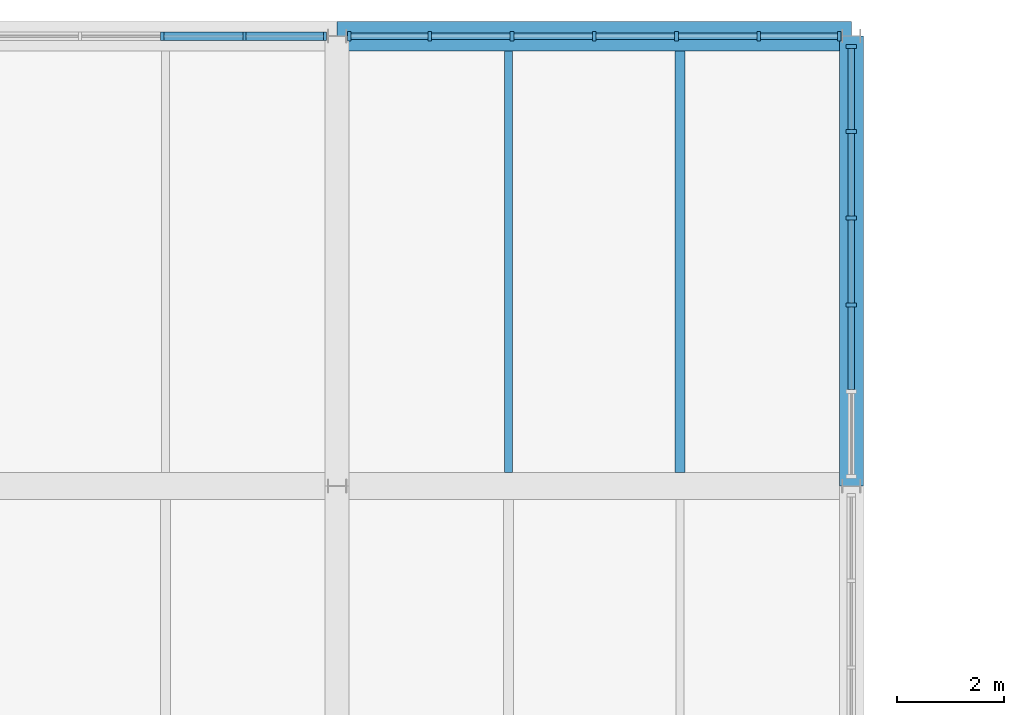
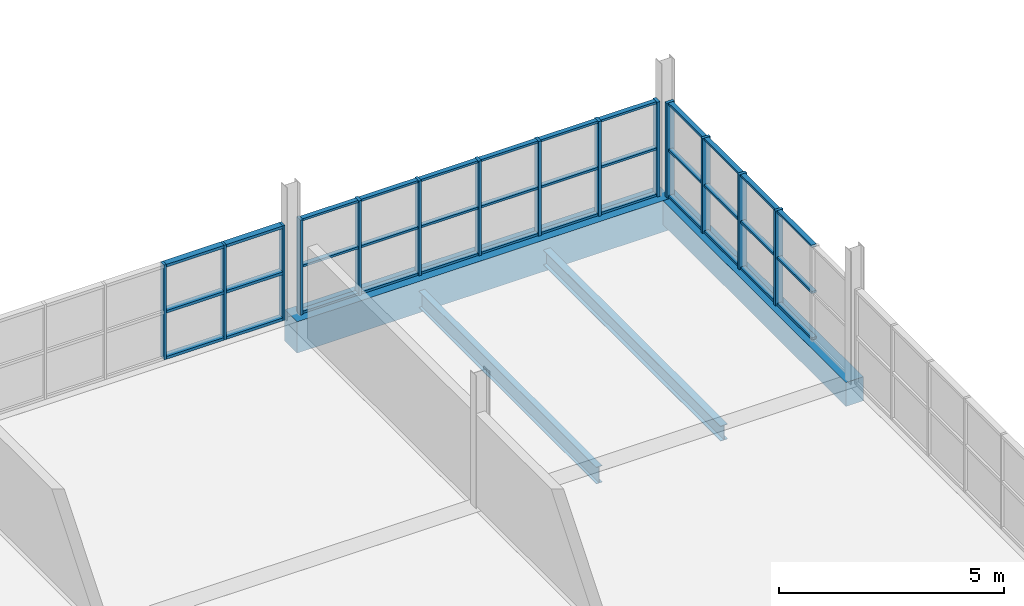
# One storey, part 87 of 147: 50 members, 4 beams, 3 elements without a shape of their own.
"""IFC4 building model written with IfcOpenShell, lengths in metres."""

from ifc_helpers import new_model, si_unit, direction, frame, origin, origin_2d, place, context, subcontext, project, spatial, rectangle, i_section, extrude, material, material_profile, profile_set, type_object, element, aggregate, save


model = new_model("IFC4")

# Units and contexts
model_context = context("Model", 3, precision=1e-05, world=origin(), true_north=direction((0.0, 1.0)))
body_context = subcontext(model_context, "Body", "Model", "MODEL_VIEW")
ifc_project = project(units=[si_unit("LENGTHUNIT", "METRE"), si_unit("AREAUNIT", "SQUARE_METRE"), si_unit("VOLUMEUNIT", "CUBIC_METRE"), si_unit("PLANEANGLEUNIT", "RADIAN"), si_unit("MASSUNIT", "GRAM", prefix="KILO")], contexts=[model_context])

# Site, building, storey
site_placement = place(None, origin())
site = spatial("IfcSite", under=ifc_project, at=site_placement, CompositionType="ELEMENT")
building_placement = place(site_placement, origin())
building = spatial("IfcBuilding", under=site, at=building_placement, Name="Oolite Switchyard Hospital", CompositionType="ELEMENT")
storey_placement = place(building_placement, frame((0.0, 0.0, 9.89990234375)))
storey = spatial("IfcBuildingStorey", under=building, at=storey_placement, Name="L02", CompositionType="ELEMENT", Elevation=9.89990234375)

# Beams
ifc_material_1 = material(Name="Concrete C40/50", Category="concrete")
ifc_material_profile_1 = material_profile(ifc_material_1, rectangle(XDim=0.449951171875, YDim=0.64990234375, at=origin_2d()), Name="RCB450X650")
ifc_profile_set_1 = profile_set([ifc_material_profile_1], Name="Concrete C40/50")
beam_type_1 = type_object("IfcBeamType", Name="BM-RC450X650", PredefinedType="BEAM", material=ifc_profile_set_1)
beam_1_placement = place(storey_placement, frame((76.800048828125, 126.0, -0.324951171875), z_axis=(0.0, 1.0, 0.0), x_axis=(-1.0, 0.0, 0.0)))
element("IfcBeam", 1, at=beam_1_placement, inside=storey, type_object=beam_type_1, Name="L02 Y-Girder 1372", PredefinedType="BEAM", context=body_context, shape_type="SweptSolid", body=[
    extrude(rectangle(XDim=0.449951171875, YDim=0.64990234375, at=origin_2d()), origin(), (0.0, 0.0, 1.0), 8.39990234375),
])
ifc_material_profile_2 = material_profile(ifc_material_1, rectangle(XDim=0.550048828125, YDim=0.85009765625, at=origin_2d()), Name="RCB550X850")
ifc_profile_set_2 = profile_set([ifc_material_profile_2], Name="Concrete C40/50")
beam_type_2 = type_object("IfcBeamType", Name="BM-RC550X850", PredefinedType="BEAM", material=ifc_profile_set_2)
beam_2_placement = place(storey_placement, frame((67.199951171875, 134.39990234375, -0.4248046875), z_axis=(1.0, 0.0, 0.0), x_axis=(0.0, 1.0, 0.0)))
element("IfcBeam", 2, at=beam_2_placement, inside=storey, type_object=beam_type_2, Name="L02 X-Girder 1241", PredefinedType="BEAM", context=body_context, shape_type="SweptSolid", body=[
    extrude(rectangle(XDim=0.550048828125, YDim=0.85009765625, at=origin_2d()), origin(), (0.0, 0.0, 1.0), 9.60009765625),
])
ifc_material_2 = material(Name="Steel ASTM A992 Grade 50", Category="steel")
ifc_material_profile_3 = material_profile(ifc_material_2, i_section(OverallWidth=0.179931640625, OverallDepth=0.4130859375, WebThickness=0.010009765625, FlangeThickness=0.01611328125, at=origin_2d()), Name="W16X50")
ifc_profile_set_3 = profile_set([ifc_material_profile_3], Name="Steel ASTM A992 Grade 50")
beam_type_3 = type_object("IfcBeamType", Name="BM-W16X50", PredefinedType="JOIST", material=ifc_profile_set_3)
beam_3_placement = place(storey_placement, frame((73.60009765625, 126.25, -0.4658203125), z_axis=(0.0, 1.0, 0.0), x_axis=(-1.0, 0.0, 0.0)))
element("IfcBeam", 3, at=beam_3_placement, inside=storey, type_object=beam_type_3, Name="L02 Secondary Steel Joist 1709", PredefinedType="JOIST", context=body_context, shape_type="SweptSolid", body=[
    extrude(i_section(OverallWidth=0.179931640625, OverallDepth=0.4130859375, WebThickness=0.010009765625, FlangeThickness=0.01611328125, at=origin_2d()), origin(), (0.0, 0.0, 1.0), 7.875),
])
ifc_material_profile_4 = material_profile(ifc_material_2, i_section(OverallWidth=0.153076171875, OverallDepth=0.455078125, WebThickness=0.008056640625, FlangeThickness=0.012939453125, at=origin_2d()), Name="W18X40")
ifc_profile_set_4 = profile_set([ifc_material_profile_4], Name="Steel ASTM A992 Grade 50")
beam_type_4 = type_object("IfcBeamType", Name="BM-W18X40", PredefinedType="JOIST", material=ifc_profile_set_4)
beam_4_placement = place(storey_placement, frame((70.39990234375, 126.25, -0.48681640625), z_axis=(0.0, 1.0, 0.0), x_axis=(-1.0, 0.0, 0.0)))
element("IfcBeam", 4, at=beam_4_placement, inside=storey, type_object=beam_type_4, Name="L02 Secondary Steel Joist 1708", PredefinedType="JOIST", context=body_context, shape_type="SweptSolid", body=[
    extrude(i_section(OverallWidth=0.153076171875, OverallDepth=0.455078125, WebThickness=0.008056640625, FlangeThickness=0.012939453125, at=origin_2d()), origin(), (0.0, 0.0, 1.0), 7.875),
])

# Curtain wall, members
ifc_material_3 = material(Name="Thermally broken aluminum frame with laminated impact glazing", Category="aluminium")
curtain_wall_type_1 = type_object("IfcCurtainWallType", Name="CW-UNIT-96X36", PredefinedType="USERDEFINED", material=ifc_material_3)
curtain_wall_1_placement = place(storey_placement, origin())
curtain_wall_1 = element("IfcCurtainWall", 5, at=curtain_wall_1_placement, inside=storey, type_object=curtain_wall_type_1, Name="L02 Unitised Curtain Wall 271", ObjectType="UNITISED", PredefinedType="USERDEFINED")
ifc_material_4 = material(Name="Aluminium 6063-T6", Category="aluminium")
ifc_material_profile_5 = material_profile(ifc_material_4, rectangle(XDim=0.159912109375, YDim=0.06005859375, at=origin_2d()), Name="CWM60X160")
ifc_profile_set_5 = profile_set([ifc_material_profile_5], Name="Aluminium 6063-T6")
member_type_1 = type_object("IfcMemberType", Name="CW-MUL-180", PredefinedType="MULLION", material=ifc_profile_set_5)
member_1_placement = place(storey_placement, frame((63.935546875, 134.39990234375, 0.0), z_axis=(0.0, 0.0, 1.0), x_axis=(0.0, 1.0, 0.0)))
member_1 = element("IfcMember", 6, at=member_1_placement, type_object=member_type_1, Name="CW-03 mullion 5", PredefinedType="MULLION", context=body_context, shape_type="SweptSolid", body=[
    extrude(rectangle(XDim=0.159912109375, YDim=0.06005859375, at=origin_2d()), origin(), (0.0, 0.0, 1.0), 2.570068359375),
])
member_2_placement = place(storey_placement, frame((65.471435546875, 134.39990234375, 0.0), z_axis=(0.0, 0.0, 1.0), x_axis=(0.0, 1.0, 0.0)))
member_2 = element("IfcMember", 7, at=member_2_placement, type_object=member_type_1, Name="CW-03 mullion 6", PredefinedType="MULLION", context=body_context, shape_type="SweptSolid", body=[
    extrude(rectangle(XDim=0.159912109375, YDim=0.06005859375, at=origin_2d()), origin(), (0.0, 0.0, 1.0), 2.570068359375),
])
member_3_placement = place(storey_placement, frame((66.97705078125, 134.39990234375, 0.0), z_axis=(0.0, 0.0, 1.0), x_axis=(0.0, 1.0, 0.0)))
member_3 = element("IfcMember", 8, at=member_3_placement, type_object=member_type_1, Name="CW-03 mullion 7", PredefinedType="MULLION", context=body_context, shape_type="SweptSolid", body=[
    extrude(rectangle(XDim=0.159912109375, YDim=0.06005859375, at=origin_2d()), origin(), (0.0, 0.0, 1.0), 2.570068359375),
])

curtain_wall_2_placement = place(storey_placement, origin())
curtain_wall_2 = element("IfcCurtainWall", 9, at=curtain_wall_2_placement, inside=storey, type_object=curtain_wall_type_1, Name="L02 Unitised Curtain Wall 272", ObjectType="UNITISED", PredefinedType="USERDEFINED")
ifc_material_profile_6 = material_profile(ifc_material_4, rectangle(XDim=0.179931640625, YDim=0.070068359375, at=origin_2d()), Name="CWM70X180")
ifc_profile_set_6 = profile_set([ifc_material_profile_6], Name="Aluminium 6063-T6")
member_type_2 = type_object("IfcMemberType", Name="CW-MUL-220", PredefinedType="MULLION", material=ifc_profile_set_6)
member_4_placement = place(storey_placement, frame((67.427978515625, 134.39990234375, 0.0), z_axis=(0.0, 0.0, 1.0), x_axis=(0.0, 1.0, 0.0)))
member_4 = element("IfcMember", 10, at=member_4_placement, type_object=member_type_2, Name="CW-03 mullion 1", PredefinedType="MULLION", context=body_context, shape_type="SweptSolid", body=[
    extrude(rectangle(XDim=0.179931640625, YDim=0.070068359375, at=origin_2d()), origin(), (0.0, 0.0, 1.0), 2.570068359375),
])
member_5_placement = place(storey_placement, frame((68.9287109375, 134.39990234375, 0.0), z_axis=(0.0, 0.0, 1.0), x_axis=(0.0, 1.0, 0.0)))
member_5 = element("IfcMember", 11, at=member_5_placement, type_object=member_type_2, Name="CW-03 mullion 2", PredefinedType="MULLION", context=body_context, shape_type="SweptSolid", body=[
    extrude(rectangle(XDim=0.179931640625, YDim=0.070068359375, at=origin_2d()), origin(), (0.0, 0.0, 1.0), 2.570068359375),
])
member_6_placement = place(storey_placement, frame((70.46435546875, 134.39990234375, 0.0), z_axis=(0.0, 0.0, 1.0), x_axis=(0.0, 1.0, 0.0)))
member_6 = element("IfcMember", 12, at=member_6_placement, type_object=member_type_2, Name="CW-03 mullion 3", PredefinedType="MULLION", context=body_context, shape_type="SweptSolid", body=[
    extrude(rectangle(XDim=0.179931640625, YDim=0.070068359375, at=origin_2d()), origin(), (0.0, 0.0, 1.0), 2.570068359375),
])
member_7_placement = place(storey_placement, frame((72.0, 134.39990234375, 0.0), z_axis=(0.0, 0.0, 1.0), x_axis=(0.0, 1.0, 0.0)))
member_7 = element("IfcMember", 13, at=member_7_placement, type_object=member_type_2, Name="CW-03 mullion 4", PredefinedType="MULLION", context=body_context, shape_type="SweptSolid", body=[
    extrude(rectangle(XDim=0.179931640625, YDim=0.070068359375, at=origin_2d()), origin(), (0.0, 0.0, 1.0), 2.570068359375),
])
member_8_placement = place(storey_placement, frame((73.53564453125, 134.39990234375, 0.0), z_axis=(0.0, 0.0, 1.0), x_axis=(0.0, 1.0, 0.0)))
member_8 = element("IfcMember", 14, at=member_8_placement, type_object=member_type_2, Name="CW-03 mullion 5", PredefinedType="MULLION", context=body_context, shape_type="SweptSolid", body=[
    extrude(rectangle(XDim=0.179931640625, YDim=0.070068359375, at=origin_2d()), origin(), (0.0, 0.0, 1.0), 2.570068359375),
])
member_9_placement = place(storey_placement, frame((75.0712890625, 134.39990234375, 0.0), z_axis=(0.0, 0.0, 1.0), x_axis=(0.0, 1.0, 0.0)))
member_9 = element("IfcMember", 15, at=member_9_placement, type_object=member_type_2, Name="CW-03 mullion 6", PredefinedType="MULLION", context=body_context, shape_type="SweptSolid", body=[
    extrude(rectangle(XDim=0.179931640625, YDim=0.070068359375, at=origin_2d()), origin(), (0.0, 0.0, 1.0), 2.570068359375),
])
member_10_placement = place(storey_placement, frame((76.572021484375, 134.39990234375, 0.0), z_axis=(0.0, 0.0, 1.0), x_axis=(0.0, 1.0, 0.0)))
member_10 = element("IfcMember", 16, at=member_10_placement, type_object=member_type_2, Name="CW-03 mullion 7", PredefinedType="MULLION", context=body_context, shape_type="SweptSolid", body=[
    extrude(rectangle(XDim=0.179931640625, YDim=0.070068359375, at=origin_2d()), origin(), (0.0, 0.0, 1.0), 2.570068359375),
])

curtain_wall_type_2 = type_object("IfcCurtainWallType", Name="CW-UNIT-84X36", PredefinedType="USERDEFINED", material=ifc_material_3)
curtain_wall_3_placement = place(storey_placement, origin())
curtain_wall_3 = element("IfcCurtainWall", 17, at=curtain_wall_3_placement, inside=storey, type_object=curtain_wall_type_2, Name="L02 Unitised Curtain Wall 288", ObjectType="UNITISED", PredefinedType="USERDEFINED")
ifc_material_profile_7 = material_profile(ifc_material_4, rectangle(XDim=0.199951171875, YDim=0.074951171875, at=origin_2d()), Name="CWM75X200")
ifc_profile_set_7 = profile_set([ifc_material_profile_7], Name="Aluminium 6063-T6")
member_type_3 = type_object("IfcMemberType", Name="CW-MUL-260", PredefinedType="MULLION", material=ifc_profile_set_7)
member_11_placement = place(storey_placement, frame((76.800048828125, 134.202392578125, 0.0), z_axis=(0.0, 0.0, 1.0), x_axis=(1.0, 0.0, 0.0)))
member_11 = element("IfcMember", 18, at=member_11_placement, type_object=member_type_3, Name="CW-08 mullion 1", PredefinedType="MULLION", context=body_context, shape_type="SweptSolid", body=[
    extrude(rectangle(XDim=0.199951171875, YDim=0.074951171875, at=origin_2d()), origin(), (0.0, 0.0, 1.0), 2.570068359375),
])
member_12_placement = place(storey_placement, frame((76.800048828125, 132.620361328125, 0.0), z_axis=(0.0, 0.0, 1.0), x_axis=(1.0, 0.0, 0.0)))
member_12 = element("IfcMember", 19, at=member_12_placement, type_object=member_type_3, Name="CW-08 mullion 2", PredefinedType="MULLION", context=body_context, shape_type="SweptSolid", body=[
    extrude(rectangle(XDim=0.199951171875, YDim=0.074951171875, at=origin_2d()), origin(), (0.0, 0.0, 1.0), 2.570068359375),
])
member_13_placement = place(storey_placement, frame((76.800048828125, 131.000732421875, 0.0), z_axis=(0.0, 0.0, 1.0), x_axis=(1.0, 0.0, 0.0)))
member_13 = element("IfcMember", 20, at=member_13_placement, type_object=member_type_3, Name="CW-08 mullion 3", PredefinedType="MULLION", context=body_context, shape_type="SweptSolid", body=[
    extrude(rectangle(XDim=0.199951171875, YDim=0.074951171875, at=origin_2d()), origin(), (0.0, 0.0, 1.0), 2.570068359375),
])
member_14_placement = place(storey_placement, frame((76.800048828125, 129.381103515625, 0.0), z_axis=(0.0, 0.0, 1.0), x_axis=(1.0, 0.0, 0.0)))
member_14 = element("IfcMember", 21, at=member_14_placement, type_object=member_type_3, Name="CW-08 mullion 4", PredefinedType="MULLION", context=body_context, shape_type="SweptSolid", body=[
    extrude(rectangle(XDim=0.199951171875, YDim=0.074951171875, at=origin_2d()), origin(), (0.0, 0.0, 1.0), 2.570068359375),
])

# Member
ifc_material_profile_8 = material_profile(ifc_material_4, rectangle(XDim=0.1201171875, YDim=0.06005859375, at=origin_2d()), Name="CWT60X120")
ifc_profile_set_8 = profile_set([ifc_material_profile_8], Name="Aluminium 6063-T6")
member_type_4 = type_object("IfcMemberType", Name="CW-TRN-150", PredefinedType="USERDEFINED", material=ifc_profile_set_8)
member_15_placement = place(storey_placement, frame((67.462890625, 134.39990234375, 0.030029296875), z_axis=(1.0, 0.0, 0.0), x_axis=(0.0, 1.0, 0.0)))
member_15 = element("IfcMember", 22, at=member_15_placement, type_object=member_type_4, Name="CW-03 transom 1.1", ObjectType="TRANSOM", PredefinedType="USERDEFINED", context=body_context, shape_type="SweptSolid", body=[
    extrude(rectangle(XDim=0.1201171875, YDim=0.06005859375, at=origin_2d()), origin(), (0.0, 0.0, 1.0), 1.4306640625),
])

member_16_placement = place(storey_placement, frame((67.462890625, 134.39990234375, 1.28515625), z_axis=(1.0, 0.0, 0.0), x_axis=(0.0, 1.0, 0.0)))
member_16 = element("IfcMember", 23, at=member_16_placement, type_object=member_type_4, Name="CW-03 transom 1.2", ObjectType="TRANSOM", PredefinedType="USERDEFINED", context=body_context, shape_type="SweptSolid", body=[
    extrude(rectangle(XDim=0.1201171875, YDim=0.06005859375, at=origin_2d()), origin(), (0.0, 0.0, 1.0), 1.4306640625),
])

member_17_placement = place(storey_placement, frame((67.462890625, 134.39990234375, 2.5400390625), z_axis=(1.0, 0.0, 0.0), x_axis=(0.0, 1.0, 0.0)))
member_17 = element("IfcMember", 24, at=member_17_placement, type_object=member_type_4, Name="CW-03 transom 1.3", ObjectType="TRANSOM", PredefinedType="USERDEFINED", context=body_context, shape_type="SweptSolid", body=[
    extrude(rectangle(XDim=0.1201171875, YDim=0.06005859375, at=origin_2d()), origin(), (0.0, 0.0, 1.0), 1.4306640625),
])

member_18_placement = place(storey_placement, frame((68.963623046875, 134.39990234375, 0.030029296875), z_axis=(1.0, 0.0, 0.0), x_axis=(0.0, 1.0, 0.0)))
member_18 = element("IfcMember", 25, at=member_18_placement, type_object=member_type_4, Name="CW-03 transom 2.1", ObjectType="TRANSOM", PredefinedType="USERDEFINED", context=body_context, shape_type="SweptSolid", body=[
    extrude(rectangle(XDim=0.1201171875, YDim=0.06005859375, at=origin_2d()), origin(), (0.0, 0.0, 1.0), 1.4658203125),
])

member_19_placement = place(storey_placement, frame((68.963623046875, 134.39990234375, 1.28515625), z_axis=(1.0, 0.0, 0.0), x_axis=(0.0, 1.0, 0.0)))
member_19 = element("IfcMember", 26, at=member_19_placement, type_object=member_type_4, Name="CW-03 transom 2.2", ObjectType="TRANSOM", PredefinedType="USERDEFINED", context=body_context, shape_type="SweptSolid", body=[
    extrude(rectangle(XDim=0.1201171875, YDim=0.06005859375, at=origin_2d()), origin(), (0.0, 0.0, 1.0), 1.4658203125),
])

member_20_placement = place(storey_placement, frame((68.963623046875, 134.39990234375, 2.5400390625), z_axis=(1.0, 0.0, 0.0), x_axis=(0.0, 1.0, 0.0)))
member_20 = element("IfcMember", 27, at=member_20_placement, type_object=member_type_4, Name="CW-03 transom 2.3", ObjectType="TRANSOM", PredefinedType="USERDEFINED", context=body_context, shape_type="SweptSolid", body=[
    extrude(rectangle(XDim=0.1201171875, YDim=0.06005859375, at=origin_2d()), origin(), (0.0, 0.0, 1.0), 1.4658203125),
])

member_21_placement = place(storey_placement, frame((70.499267578125, 134.39990234375, 0.030029296875), z_axis=(1.0, 0.0, 0.0), x_axis=(0.0, 1.0, 0.0)))
member_21 = element("IfcMember", 28, at=member_21_placement, type_object=member_type_4, Name="CW-03 transom 3.1", ObjectType="TRANSOM", PredefinedType="USERDEFINED", context=body_context, shape_type="SweptSolid", body=[
    extrude(rectangle(XDim=0.1201171875, YDim=0.06005859375, at=origin_2d()), origin(), (0.0, 0.0, 1.0), 1.4658203125),
])

member_22_placement = place(storey_placement, frame((70.499267578125, 134.39990234375, 1.28515625), z_axis=(1.0, 0.0, 0.0), x_axis=(0.0, 1.0, 0.0)))
member_22 = element("IfcMember", 29, at=member_22_placement, type_object=member_type_4, Name="CW-03 transom 3.2", ObjectType="TRANSOM", PredefinedType="USERDEFINED", context=body_context, shape_type="SweptSolid", body=[
    extrude(rectangle(XDim=0.1201171875, YDim=0.06005859375, at=origin_2d()), origin(), (0.0, 0.0, 1.0), 1.4658203125),
])

member_23_placement = place(storey_placement, frame((70.499267578125, 134.39990234375, 2.5400390625), z_axis=(1.0, 0.0, 0.0), x_axis=(0.0, 1.0, 0.0)))
member_23 = element("IfcMember", 30, at=member_23_placement, type_object=member_type_4, Name="CW-03 transom 3.3", ObjectType="TRANSOM", PredefinedType="USERDEFINED", context=body_context, shape_type="SweptSolid", body=[
    extrude(rectangle(XDim=0.1201171875, YDim=0.06005859375, at=origin_2d()), origin(), (0.0, 0.0, 1.0), 1.4658203125),
])

member_24_placement = place(storey_placement, frame((72.034912109375, 134.39990234375, 0.030029296875), z_axis=(1.0, 0.0, 0.0), x_axis=(0.0, 1.0, 0.0)))
member_24 = element("IfcMember", 31, at=member_24_placement, type_object=member_type_4, Name="CW-03 transom 4.1", ObjectType="TRANSOM", PredefinedType="USERDEFINED", context=body_context, shape_type="SweptSolid", body=[
    extrude(rectangle(XDim=0.1201171875, YDim=0.06005859375, at=origin_2d()), origin(), (0.0, 0.0, 1.0), 1.4658203125),
])

member_25_placement = place(storey_placement, frame((72.034912109375, 134.39990234375, 1.28515625), z_axis=(1.0, 0.0, 0.0), x_axis=(0.0, 1.0, 0.0)))
member_25 = element("IfcMember", 32, at=member_25_placement, type_object=member_type_4, Name="CW-03 transom 4.2", ObjectType="TRANSOM", PredefinedType="USERDEFINED", context=body_context, shape_type="SweptSolid", body=[
    extrude(rectangle(XDim=0.1201171875, YDim=0.06005859375, at=origin_2d()), origin(), (0.0, 0.0, 1.0), 1.4658203125),
])

member_26_placement = place(storey_placement, frame((72.034912109375, 134.39990234375, 2.5400390625), z_axis=(1.0, 0.0, 0.0), x_axis=(0.0, 1.0, 0.0)))
member_26 = element("IfcMember", 33, at=member_26_placement, type_object=member_type_4, Name="CW-03 transom 4.3", ObjectType="TRANSOM", PredefinedType="USERDEFINED", context=body_context, shape_type="SweptSolid", body=[
    extrude(rectangle(XDim=0.1201171875, YDim=0.06005859375, at=origin_2d()), origin(), (0.0, 0.0, 1.0), 1.4658203125),
])

member_27_placement = place(storey_placement, frame((73.570556640625, 134.39990234375, 0.030029296875), z_axis=(1.0, 0.0, 0.0), x_axis=(0.0, 1.0, 0.0)))
member_27 = element("IfcMember", 34, at=member_27_placement, type_object=member_type_4, Name="CW-03 transom 5.1", ObjectType="TRANSOM", PredefinedType="USERDEFINED", context=body_context, shape_type="SweptSolid", body=[
    extrude(rectangle(XDim=0.1201171875, YDim=0.06005859375, at=origin_2d()), origin(), (0.0, 0.0, 1.0), 1.4658203125),
])

member_28_placement = place(storey_placement, frame((73.570556640625, 134.39990234375, 1.28515625), z_axis=(1.0, 0.0, 0.0), x_axis=(0.0, 1.0, 0.0)))
member_28 = element("IfcMember", 35, at=member_28_placement, type_object=member_type_4, Name="CW-03 transom 5.2", ObjectType="TRANSOM", PredefinedType="USERDEFINED", context=body_context, shape_type="SweptSolid", body=[
    extrude(rectangle(XDim=0.1201171875, YDim=0.06005859375, at=origin_2d()), origin(), (0.0, 0.0, 1.0), 1.4658203125),
])

member_29_placement = place(storey_placement, frame((73.570556640625, 134.39990234375, 2.5400390625), z_axis=(1.0, 0.0, 0.0), x_axis=(0.0, 1.0, 0.0)))
member_29 = element("IfcMember", 36, at=member_29_placement, type_object=member_type_4, Name="CW-03 transom 5.3", ObjectType="TRANSOM", PredefinedType="USERDEFINED", context=body_context, shape_type="SweptSolid", body=[
    extrude(rectangle(XDim=0.1201171875, YDim=0.06005859375, at=origin_2d()), origin(), (0.0, 0.0, 1.0), 1.4658203125),
])

member_30_placement = place(storey_placement, frame((75.1064453125, 134.39990234375, 0.030029296875), z_axis=(1.0, 0.0, 0.0), x_axis=(0.0, 1.0, 0.0)))
member_30 = element("IfcMember", 37, at=member_30_placement, type_object=member_type_4, Name="CW-03 transom 6.1", ObjectType="TRANSOM", PredefinedType="USERDEFINED", context=body_context, shape_type="SweptSolid", body=[
    extrude(rectangle(XDim=0.1201171875, YDim=0.06005859375, at=origin_2d()), origin(), (0.0, 0.0, 1.0), 1.4306640625),
])

member_31_placement = place(storey_placement, frame((75.1064453125, 134.39990234375, 1.28515625), z_axis=(1.0, 0.0, 0.0), x_axis=(0.0, 1.0, 0.0)))
member_31 = element("IfcMember", 38, at=member_31_placement, type_object=member_type_4, Name="CW-03 transom 6.2", ObjectType="TRANSOM", PredefinedType="USERDEFINED", context=body_context, shape_type="SweptSolid", body=[
    extrude(rectangle(XDim=0.1201171875, YDim=0.06005859375, at=origin_2d()), origin(), (0.0, 0.0, 1.0), 1.4306640625),
])

member_32_placement = place(storey_placement, frame((75.1064453125, 134.39990234375, 2.5400390625), z_axis=(1.0, 0.0, 0.0), x_axis=(0.0, 1.0, 0.0)))
member_32 = element("IfcMember", 39, at=member_32_placement, type_object=member_type_4, Name="CW-03 transom 6.3", ObjectType="TRANSOM", PredefinedType="USERDEFINED", context=body_context, shape_type="SweptSolid", body=[
    extrude(rectangle(XDim=0.1201171875, YDim=0.06005859375, at=origin_2d()), origin(), (0.0, 0.0, 1.0), 1.4306640625),
])

aggregate(curtain_wall_2, [member_4, member_5, member_6, member_7, member_8, member_9, member_10, member_15, member_16, member_17, member_18, member_19, member_20, member_21, member_22, member_23, member_24, member_25, member_26, member_27, member_28, member_29, member_30, member_31, member_32])

member_33_placement = place(storey_placement, frame((76.800048828125, 134.1650390625, 0.030029296875), z_axis=(0.0, -1.0, 0.0), x_axis=(1.0, 0.0, 0.0)))
member_33 = element("IfcMember", 40, at=member_33_placement, type_object=member_type_4, Name="CW-08 transom 1.1", ObjectType="TRANSOM", PredefinedType="USERDEFINED", context=body_context, shape_type="SweptSolid", body=[
    extrude(rectangle(XDim=0.1201171875, YDim=0.06005859375, at=origin_2d()), origin(), (0.0, 0.0, 1.0), 1.507080078125),
])

member_34_placement = place(storey_placement, frame((76.800048828125, 134.1650390625, 1.28515625), z_axis=(0.0, -1.0, 0.0), x_axis=(1.0, 0.0, 0.0)))
member_34 = element("IfcMember", 41, at=member_34_placement, type_object=member_type_4, Name="CW-08 transom 1.2", ObjectType="TRANSOM", PredefinedType="USERDEFINED", context=body_context, shape_type="SweptSolid", body=[
    extrude(rectangle(XDim=0.1201171875, YDim=0.06005859375, at=origin_2d()), origin(), (0.0, 0.0, 1.0), 1.507080078125),
])

member_35_placement = place(storey_placement, frame((76.800048828125, 134.1650390625, 2.5400390625), z_axis=(0.0, -1.0, 0.0), x_axis=(1.0, 0.0, 0.0)))
member_35 = element("IfcMember", 42, at=member_35_placement, type_object=member_type_4, Name="CW-08 transom 1.3", ObjectType="TRANSOM", PredefinedType="USERDEFINED", context=body_context, shape_type="SweptSolid", body=[
    extrude(rectangle(XDim=0.1201171875, YDim=0.06005859375, at=origin_2d()), origin(), (0.0, 0.0, 1.0), 1.507080078125),
])

member_36_placement = place(storey_placement, frame((76.800048828125, 132.5830078125, 0.030029296875), z_axis=(0.0, -1.0, 0.0), x_axis=(1.0, 0.0, 0.0)))
member_36 = element("IfcMember", 43, at=member_36_placement, type_object=member_type_4, Name="CW-08 transom 2.1", ObjectType="TRANSOM", PredefinedType="USERDEFINED", context=body_context, shape_type="SweptSolid", body=[
    extrude(rectangle(XDim=0.1201171875, YDim=0.06005859375, at=origin_2d()), origin(), (0.0, 0.0, 1.0), 1.544677734375),
])

member_37_placement = place(storey_placement, frame((76.800048828125, 132.5830078125, 1.28515625), z_axis=(0.0, -1.0, 0.0), x_axis=(1.0, 0.0, 0.0)))
member_37 = element("IfcMember", 44, at=member_37_placement, type_object=member_type_4, Name="CW-08 transom 2.2", ObjectType="TRANSOM", PredefinedType="USERDEFINED", context=body_context, shape_type="SweptSolid", body=[
    extrude(rectangle(XDim=0.1201171875, YDim=0.06005859375, at=origin_2d()), origin(), (0.0, 0.0, 1.0), 1.544677734375),
])

member_38_placement = place(storey_placement, frame((76.800048828125, 132.5830078125, 2.5400390625), z_axis=(0.0, -1.0, 0.0), x_axis=(1.0, 0.0, 0.0)))
member_38 = element("IfcMember", 45, at=member_38_placement, type_object=member_type_4, Name="CW-08 transom 2.3", ObjectType="TRANSOM", PredefinedType="USERDEFINED", context=body_context, shape_type="SweptSolid", body=[
    extrude(rectangle(XDim=0.1201171875, YDim=0.06005859375, at=origin_2d()), origin(), (0.0, 0.0, 1.0), 1.544677734375),
])

member_39_placement = place(storey_placement, frame((76.800048828125, 130.96337890625, 0.030029296875), z_axis=(0.0, -1.0, 0.0), x_axis=(1.0, 0.0, 0.0)))
member_39 = element("IfcMember", 46, at=member_39_placement, type_object=member_type_4, Name="CW-08 transom 3.1", ObjectType="TRANSOM", PredefinedType="USERDEFINED", context=body_context, shape_type="SweptSolid", body=[
    extrude(rectangle(XDim=0.1201171875, YDim=0.06005859375, at=origin_2d()), origin(), (0.0, 0.0, 1.0), 1.544677734375),
])

member_40_placement = place(storey_placement, frame((76.800048828125, 130.96337890625, 1.28515625), z_axis=(0.0, -1.0, 0.0), x_axis=(1.0, 0.0, 0.0)))
member_40 = element("IfcMember", 47, at=member_40_placement, type_object=member_type_4, Name="CW-08 transom 3.2", ObjectType="TRANSOM", PredefinedType="USERDEFINED", context=body_context, shape_type="SweptSolid", body=[
    extrude(rectangle(XDim=0.1201171875, YDim=0.06005859375, at=origin_2d()), origin(), (0.0, 0.0, 1.0), 1.544677734375),
])

member_41_placement = place(storey_placement, frame((76.800048828125, 130.96337890625, 2.5400390625), z_axis=(0.0, -1.0, 0.0), x_axis=(1.0, 0.0, 0.0)))
member_41 = element("IfcMember", 48, at=member_41_placement, type_object=member_type_4, Name="CW-08 transom 3.3", ObjectType="TRANSOM", PredefinedType="USERDEFINED", context=body_context, shape_type="SweptSolid", body=[
    extrude(rectangle(XDim=0.1201171875, YDim=0.06005859375, at=origin_2d()), origin(), (0.0, 0.0, 1.0), 1.544677734375),
])

member_42_placement = place(storey_placement, frame((76.800048828125, 129.34375, 0.030029296875), z_axis=(0.0, -1.0, 0.0), x_axis=(1.0, 0.0, 0.0)))
member_42 = element("IfcMember", 49, at=member_42_placement, type_object=member_type_4, Name="CW-08 transom 4.1", ObjectType="TRANSOM", PredefinedType="USERDEFINED", context=body_context, shape_type="SweptSolid", body=[
    extrude(rectangle(XDim=0.1201171875, YDim=0.06005859375, at=origin_2d()), origin(), (0.0, 0.0, 1.0), 1.544677734375),
])

member_43_placement = place(storey_placement, frame((76.800048828125, 129.34375, 1.28515625), z_axis=(0.0, -1.0, 0.0), x_axis=(1.0, 0.0, 0.0)))
member_43 = element("IfcMember", 50, at=member_43_placement, type_object=member_type_4, Name="CW-08 transom 4.2", ObjectType="TRANSOM", PredefinedType="USERDEFINED", context=body_context, shape_type="SweptSolid", body=[
    extrude(rectangle(XDim=0.1201171875, YDim=0.06005859375, at=origin_2d()), origin(), (0.0, 0.0, 1.0), 1.544677734375),
])

member_44_placement = place(storey_placement, frame((76.800048828125, 129.34375, 2.5400390625), z_axis=(0.0, -1.0, 0.0), x_axis=(1.0, 0.0, 0.0)))
member_44 = element("IfcMember", 51, at=member_44_placement, type_object=member_type_4, Name="CW-08 transom 4.3", ObjectType="TRANSOM", PredefinedType="USERDEFINED", context=body_context, shape_type="SweptSolid", body=[
    extrude(rectangle(XDim=0.1201171875, YDim=0.06005859375, at=origin_2d()), origin(), (0.0, 0.0, 1.0), 1.544677734375),
])

aggregate(curtain_wall_3, [member_11, member_12, member_13, member_14, member_33, member_34, member_35, member_36, member_37, member_38, member_39, member_40, member_41, member_42, member_43, member_44])

ifc_material_profile_9 = material_profile(ifc_material_4, rectangle(XDim=0.159912109375, YDim=0.074951171875, at=origin_2d()), Name="CWT75X160")
ifc_profile_set_9 = profile_set([ifc_material_profile_9], Name="Aluminium 6063-T6")
member_type_5 = type_object("IfcMemberType", Name="CW-TRN-180", PredefinedType="USERDEFINED", material=ifc_profile_set_9)
member_45_placement = place(storey_placement, frame((63.965576171875, 134.39990234375, 0.03759765625), z_axis=(1.0, 0.0, 0.0), x_axis=(0.0, 1.0, 0.0)))
member_45 = element("IfcMember", 52, at=member_45_placement, type_object=member_type_5, Name="CW-03 transom 5.1", ObjectType="TRANSOM", PredefinedType="USERDEFINED", context=body_context, shape_type="SweptSolid", body=[
    extrude(rectangle(XDim=0.159912109375, YDim=0.074951171875, at=origin_2d()), origin(), (0.0, 0.0, 1.0), 1.475830078125),
])

member_46_placement = place(storey_placement, frame((63.965576171875, 134.39990234375, 1.28515625), z_axis=(1.0, 0.0, 0.0), x_axis=(0.0, 1.0, 0.0)))
member_46 = element("IfcMember", 53, at=member_46_placement, type_object=member_type_5, Name="CW-03 transom 5.2", ObjectType="TRANSOM", PredefinedType="USERDEFINED", context=body_context, shape_type="SweptSolid", body=[
    extrude(rectangle(XDim=0.159912109375, YDim=0.074951171875, at=origin_2d()), origin(), (0.0, 0.0, 1.0), 1.475830078125),
])

member_47_placement = place(storey_placement, frame((63.965576171875, 134.39990234375, 2.53271484375), z_axis=(1.0, 0.0, 0.0), x_axis=(0.0, 1.0, 0.0)))
member_47 = element("IfcMember", 54, at=member_47_placement, type_object=member_type_5, Name="CW-03 transom 5.3", ObjectType="TRANSOM", PredefinedType="USERDEFINED", context=body_context, shape_type="SweptSolid", body=[
    extrude(rectangle(XDim=0.159912109375, YDim=0.074951171875, at=origin_2d()), origin(), (0.0, 0.0, 1.0), 1.475830078125),
])

member_48_placement = place(storey_placement, frame((65.501220703125, 134.39990234375, 0.03759765625), z_axis=(1.0, 0.0, 0.0), x_axis=(0.0, 1.0, 0.0)))
member_48 = element("IfcMember", 55, at=member_48_placement, type_object=member_type_5, Name="CW-03 transom 6.1", ObjectType="TRANSOM", PredefinedType="USERDEFINED", context=body_context, shape_type="SweptSolid", body=[
    extrude(rectangle(XDim=0.159912109375, YDim=0.074951171875, at=origin_2d()), origin(), (0.0, 0.0, 1.0), 1.44580078125),
])

member_49_placement = place(storey_placement, frame((65.501220703125, 134.39990234375, 1.28515625), z_axis=(1.0, 0.0, 0.0), x_axis=(0.0, 1.0, 0.0)))
member_49 = element("IfcMember", 56, at=member_49_placement, type_object=member_type_5, Name="CW-03 transom 6.2", ObjectType="TRANSOM", PredefinedType="USERDEFINED", context=body_context, shape_type="SweptSolid", body=[
    extrude(rectangle(XDim=0.159912109375, YDim=0.074951171875, at=origin_2d()), origin(), (0.0, 0.0, 1.0), 1.44580078125),
])

member_50_placement = place(storey_placement, frame((65.501220703125, 134.39990234375, 2.53271484375), z_axis=(1.0, 0.0, 0.0), x_axis=(0.0, 1.0, 0.0)))
member_50 = element("IfcMember", 57, at=member_50_placement, type_object=member_type_5, Name="CW-03 transom 6.3", ObjectType="TRANSOM", PredefinedType="USERDEFINED", context=body_context, shape_type="SweptSolid", body=[
    extrude(rectangle(XDim=0.159912109375, YDim=0.074951171875, at=origin_2d()), origin(), (0.0, 0.0, 1.0), 1.44580078125),
])

aggregate(curtain_wall_1, [member_1, member_2, member_3, member_45, member_46, member_47, member_48, member_49, member_50])

save(model, "model.ifc")
